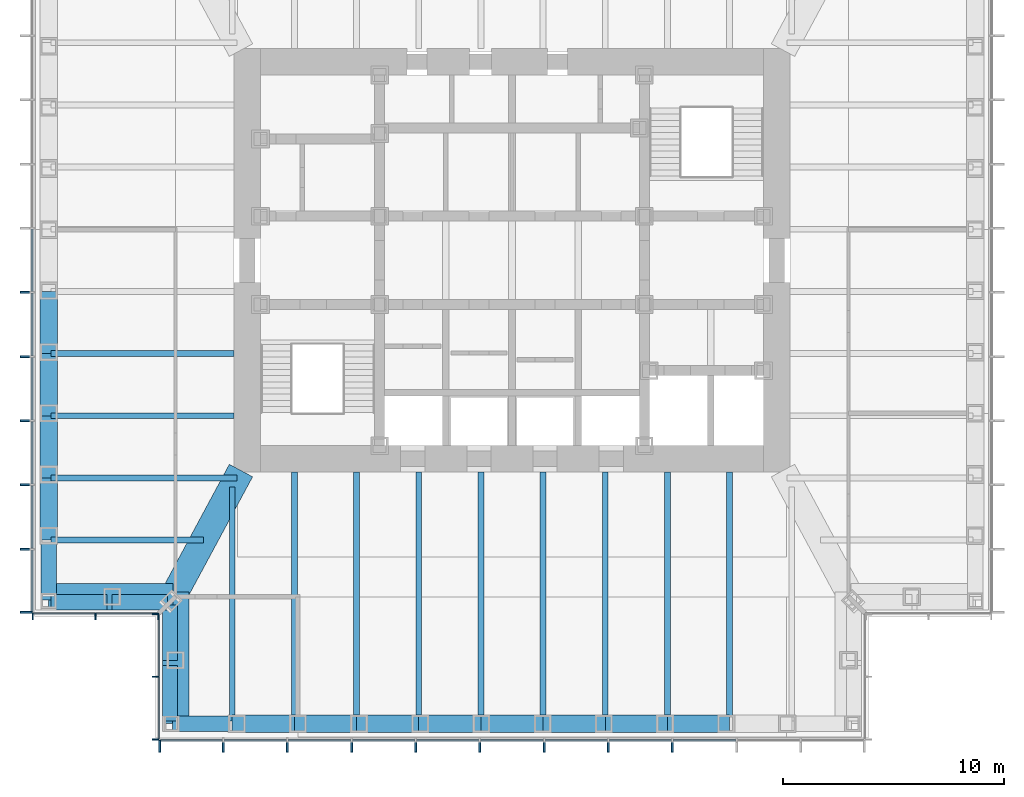
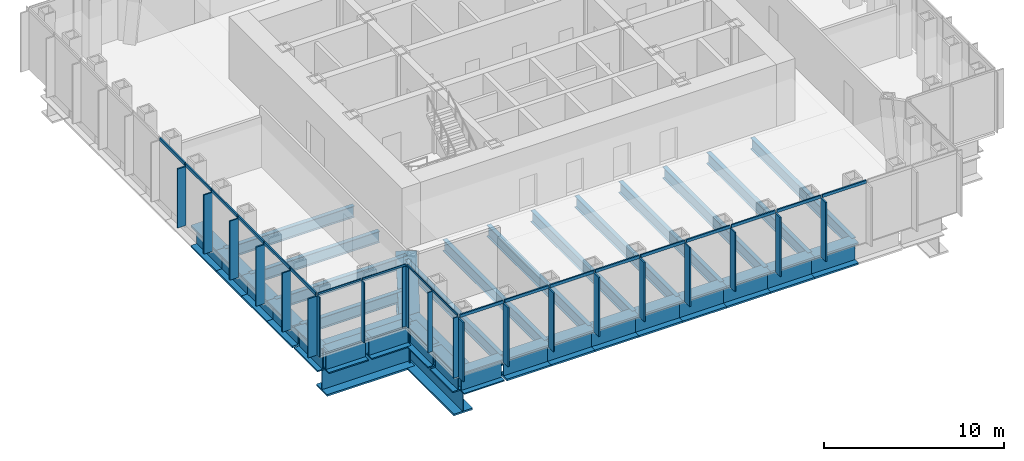
# One storey, part 2 of 14: 40 members, 34 beams, 4 elements without a shape of their own.
"""IFC4 building model written with IfcOpenShell, lengths in metres."""

import ifcopenshell
import ifcopenshell.guid

model = None  # the IFC model being written
_history = None  # IfcOwnerHistory: only IFC2X3 demands one
_inside = {}  # id of a spatial element -> (the spatial element, [elements in it])
_under = {}  # id of a project, library or spatial element -> (it, [spatial elements below it])
_declared = {}  # id of a project -> (the project, [libraries it declares])
_typed = {}  # id of a type object -> (the type object, [elements of that type])
_made_of = {}  # id of a material, layer set ... -> (it, [elements and type objects made of it])


def new_model(schema):
    """Start an empty IFC model of exactly this schema.

    Asked for "IFC4X3", IfcOpenShell would pick the latest addendum, in which some entities
    have other attributes; the version numbers below select the first issue.
    IFC2X3 requires an IfcOwnerHistory on every rooted entity: one is made here for all.
    """
    global model, _history
    if schema == "IFC4X3":
        model = ifcopenshell.file(schema_version=(4, 3, 0, 0))
    else:
        model = ifcopenshell.file(schema=schema)
    _inside.clear()
    _under.clear()
    _declared.clear()
    _typed.clear()
    _made_of.clear()
    _history = None
    if model.schema == "IFC2X3":
        org = make("IfcOrganization", Name="unknown")
        user = make(
            "IfcPersonAndOrganization",
            ThePerson=make("IfcPerson", FamilyName="unknown"),
            TheOrganization=org,
        )
        app = make(
            "IfcApplication",
            ApplicationDeveloper=org,
            Version="unknown",
            ApplicationFullName="unknown",
            ApplicationIdentifier="unknown",
        )
        _history = make(
            "IfcOwnerHistory",
            OwningUser=user,
            OwningApplication=app,
            ChangeAction="ADDED",
            CreationDate=0,
        )
    return model


def make(cls, **values):
    """One entity of the class cls with the attributes given. An attribute that is None is left unset."""
    return model.create_entity(
        cls, **{name: value for name, value in values.items() if value is not None}
    )


def rooted(cls, **values):
    """An entity with a GlobalId (a new one), such as an element, a storey or a relation."""
    return make(cls, GlobalId=ifcopenshell.guid.new(), OwnerHistory=_history, **values)


def si_unit(unit_type, name, prefix=None):
    """IfcSIUnit, for example si_unit("LENGTHUNIT", "METRE", prefix="MILLI")."""
    return make("IfcSIUnit", UnitType=unit_type, Prefix=prefix, Name=name)


def assignment(units):
    """IfcUnitAssignment: the units of a project."""
    return None if units is None else make("IfcUnitAssignment", Units=units)


def point(xyz):
    """IfcCartesianPoint."""
    return None if xyz is None else make("IfcCartesianPoint", Coordinates=xyz)


def direction(xyz):
    """IfcDirection."""
    return None if xyz is None else make("IfcDirection", DirectionRatios=xyz)


def frame(location, z_axis=None, x_axis=None):
    """IfcAxis2Placement3D, a coordinate frame: its origin and axes. An axis left out is left unset."""
    return make(
        "IfcAxis2Placement3D",
        Location=point(location),
        Axis=direction(z_axis),
        RefDirection=direction(x_axis),
    )


def frame_2d(location, x_axis=None):
    """IfcAxis2Placement2D, a coordinate frame in the plane: its origin and x axis."""
    return make(
        "IfcAxis2Placement2D", Location=point(location), RefDirection=direction(x_axis)
    )


def origin():
    """The frame at (0, 0, 0) with its axes left unset."""
    return frame((0.0, 0.0, 0.0))


def origin_2d():
    """The frame at (0, 0) in the plane with its x axis left unset."""
    return frame_2d((0.0, 0.0))


def place(relative_to, where):
    """IfcLocalPlacement: puts the frame where relative to a parent placement (None: the world)."""
    return make(
        "IfcLocalPlacement", PlacementRelTo=relative_to, RelativePlacement=where
    )


def context(
    kind, dimensions, precision=None, world=None, true_north=None, identifier=None
):
    """IfcGeometricRepresentationContext, for example the 3D "Model" context."""
    return make(
        "IfcGeometricRepresentationContext",
        ContextIdentifier=identifier,
        ContextType=kind,
        CoordinateSpaceDimension=dimensions,
        Precision=precision,
        WorldCoordinateSystem=world,
        TrueNorth=true_north,
    )


def subcontext(parent, identifier, kind, view, scale=None):
    """IfcGeometricRepresentationSubContext, for example "Body" below "Model"."""
    return make(
        "IfcGeometricRepresentationSubContext",
        ContextIdentifier=identifier,
        ContextType=kind,
        ParentContext=parent,
        TargetScale=scale,
        TargetView=view,
    )


def project(units=None, contexts=None):
    """IfcProject with its units and contexts."""
    return rooted(
        "IfcProject",
        Name="project",
        RepresentationContexts=contexts,
        UnitsInContext=assignment(units),
    )


def spatial(cls, under=None, at=None, **own):
    """A site, building, storey or space (cls), placed at a placement, below another one or the project."""
    s = rooted(cls, ObjectPlacement=at, **own)
    if under is not None:
        _under.setdefault(under.id(), (under, []))[1].append(s)
    return s


def profile(cls, at=None, kind="AREA", **sizes):
    """A parametric profile (cls). Its sizes go by their IFC names, for example OverallWidth=200.0."""
    return make(cls, ProfileType=kind, Position=at, **sizes)


def rectangle(**sizes):
    """IfcRectangleProfileDef."""
    return profile("IfcRectangleProfileDef", **sizes)


def i_section(**sizes):
    """IfcIShapeProfileDef."""
    return profile("IfcIShapeProfileDef", **sizes)


def extrude(swept, where, along, depth):
    """IfcExtrudedAreaSolid: the profile swept, set in the frame where, extruded along a direction by depth."""
    return make(
        "IfcExtrudedAreaSolid",
        SweptArea=swept,
        Position=where,
        ExtrudedDirection=direction(along),
        Depth=depth,
    )


def shape(context_of_items, identifier, shape_type, items):
    """IfcShapeRepresentation: the items that make up one representation, for example the "Body"."""
    return make(
        "IfcShapeRepresentation",
        ContextOfItems=context_of_items,
        RepresentationIdentifier=identifier,
        RepresentationType=shape_type,
        Items=items,
    )


def material(Name=None, Category=None):
    """IfcMaterial."""
    return make("IfcMaterial", Name=Name, Category=Category)


def material_profile(
    of_material, cross_section, Name=None, Category=None, Priority=None
):
    """IfcMaterialProfile: a cross section and its material."""
    return make(
        "IfcMaterialProfile",
        Name=Name,
        Material=of_material,
        Profile=cross_section,
        Priority=Priority,
        Category=Category,
    )


def profile_set(profiles, Name=None, composite=None):
    """IfcMaterialProfileSet."""
    return make(
        "IfcMaterialProfileSet",
        Name=Name,
        MaterialProfiles=profiles,
        CompositeProfile=composite,
    )


def made_of(thing, what):
    """Note that an element or type object is made of a material, layer set ...; save() writes the relation."""
    if what is not None:
        _made_of.setdefault(what.id(), (what, []))[1].append(thing)
    return thing


def type_object(cls, material=None, **own):
    """A type object (cls), such as IfcWallType, which elements share."""
    return made_of(rooted(cls, **own), material)


def element(
    cls,
    number,
    at=None,
    inside=None,
    cuts=None,
    type_object=None,
    material=None,
    context=None,
    identifier="Body",
    shape_type=None,
    held_by="IfcProductDefinitionShape",
    body=None,
    shapes=None,
    **own,
):
    """One element of the class cls, such as IfcWall. Its Tag is "e" and its number.

    at: its placement. inside: the storey or other place that contains it. cuts: it is an
    opening in that element (IfcRelVoidsElement). A single representation is given by context,
    identifier, shape_type and body (its items); several are given by shapes. held_by: the class
    of the entity that holds the representations. save() writes the other relations.
    """
    e = rooted(cls, Tag="e%d" % number, ObjectPlacement=at, **own)
    if body is not None:
        shapes = [shape(context, identifier, shape_type, body)]
    if shapes is not None:
        e.Representation = make(held_by, Representations=shapes)
    if inside is not None:
        _inside.setdefault(inside.id(), (inside, []))[1].append(e)
    if cuts is not None:
        rooted(
            "IfcRelVoidsElement", RelatingBuildingElement=cuts, RelatedOpeningElement=e
        )
    if type_object is not None:
        _typed.setdefault(type_object.id(), (type_object, []))[1].append(e)
    return made_of(e, material)


def aggregate(whole, parts):
    """IfcRelAggregates: a whole, such as a stair, and the parts it consists of."""
    return rooted("IfcRelAggregates", RelatingObject=whole, RelatedObjects=parts)


def save(model, path):
    """Write the relations noted so far, then the file.

    IfcRelAggregates (storeys below a building ...), IfcRelContainedInSpatialStructure (elements
    in a storey), IfcRelDefinesByType, IfcRelAssociatesMaterial and IfcRelDeclares: one each for
    every whole, place, type object, material and project.
    """
    for whole, parts in _under.values():
        aggregate(whole, parts)
    for where, things in _inside.values():
        rooted(
            "IfcRelContainedInSpatialStructure",
            RelatedElements=things,
            RelatingStructure=where,
        )
    for kind, things in _typed.values():
        rooted("IfcRelDefinesByType", RelatedObjects=things, RelatingType=kind)
    for what, things in _made_of.values():
        rooted("IfcRelAssociatesMaterial", RelatedObjects=things, RelatingMaterial=what)
    for by, libraries in _declared.values():
        rooted("IfcRelDeclares", RelatingContext=by, RelatedDefinitions=libraries)
    model.write(path)


model = new_model("IFC4")

# Units and contexts
model_context = context("Model", 3, precision=1e-05, world=origin(), true_north=direction((0.0, 1.0)))
body_context = subcontext(model_context, "Body", "Model", "MODEL_VIEW")
ifc_project = project(units=[si_unit("LENGTHUNIT", "METRE"), si_unit("AREAUNIT", "SQUARE_METRE"), si_unit("VOLUMEUNIT", "CUBIC_METRE"), si_unit("PLANEANGLEUNIT", "RADIAN"), si_unit("MASSUNIT", "GRAM", prefix="KILO")], contexts=[model_context])

# Site, building, storey
site_placement = place(None, origin())
site = spatial("IfcSite", under=ifc_project, at=site_placement, CompositionType="ELEMENT")
building_placement = place(site_placement, origin())
building = spatial("IfcBuilding", under=site, at=building_placement, Name="Daluyong Arena Tower", CompositionType="ELEMENT")
storey_placement = place(building_placement, frame((0.0, 0.0, 250.300048828125)))
storey = spatial("IfcBuildingStorey", under=building, at=storey_placement, Name="L56", CompositionType="ELEMENT", Elevation=250.300048828125)

# Curtain wall, members
ifc_material_1 = material(Name="Bronze anodised aluminium and glass", Category="aluminium")
curtain_wall_type_1 = type_object("IfcCurtainWallType", Name="Curtain wall CW4", PredefinedType="USERDEFINED", material=ifc_material_1)
curtain_wall_1_placement = place(storey_placement, origin())
curtain_wall_1 = element("IfcCurtainWall", 1, at=curtain_wall_1_placement, inside=storey, type_object=curtain_wall_type_1, Name="curtain wall L56 S", ObjectType="UNITISED CURTAIN WALL", PredefinedType="USERDEFINED")
ifc_material_2 = material(Name="Bronze anodised aluminium fin", Category="aluminium")
ifc_material_profile_1 = material_profile(ifc_material_2, rectangle(XDim=0.550048828125, YDim=0.090087890625, at=origin_2d()))
ifc_profile_set_1 = profile_set([ifc_material_profile_1], Name="Bronze anodised aluminium fin")
member_type_1 = type_object("IfcMemberType", Name="CW4 bronze fin 550x90", PredefinedType="MULLION", material=ifc_profile_set_1)
member_1_placement = place(storey_placement, frame((40.044921875, 57.97509765625, 0.0), z_axis=(0.0, 0.0, 1.0), x_axis=(0.0, 1.0, 0.0)))
member_1 = element("IfcMember", 2, at=member_1_placement, type_object=member_type_1, Name="curtain wall L56 S fin 1", PredefinedType="MULLION", context=body_context, shape_type="SweptSolid", body=[
    extrude(rectangle(XDim=0.550048828125, YDim=0.090087890625, at=origin_2d()), origin(), (0.0, 0.0, 1.0), 4.0),
])
member_2_placement = place(storey_placement, frame((42.9091796875, 57.97509765625, 0.0), z_axis=(0.0, 0.0, 1.0), x_axis=(0.0, 1.0, 0.0)))
member_2 = element("IfcMember", 3, at=member_2_placement, type_object=member_type_1, Name="curtain wall L56 S fin 2", PredefinedType="MULLION", context=body_context, shape_type="SweptSolid", body=[
    extrude(rectangle(XDim=0.550048828125, YDim=0.090087890625, at=origin_2d()), origin(), (0.0, 0.0, 1.0), 4.0),
])
member_3_placement = place(storey_placement, frame((45.818115234375, 57.97509765625, 0.0), z_axis=(0.0, 0.0, 1.0), x_axis=(0.0, 1.0, 0.0)))
member_3 = element("IfcMember", 4, at=member_3_placement, type_object=member_type_1, Name="curtain wall L56 S fin 3", PredefinedType="MULLION", context=body_context, shape_type="SweptSolid", body=[
    extrude(rectangle(XDim=0.550048828125, YDim=0.090087890625, at=origin_2d()), origin(), (0.0, 0.0, 1.0), 4.0),
])
member_4_placement = place(storey_placement, frame((48.727294921875, 57.97509765625, 0.0), z_axis=(0.0, 0.0, 1.0), x_axis=(0.0, 1.0, 0.0)))
member_4 = element("IfcMember", 5, at=member_4_placement, type_object=member_type_1, Name="curtain wall L56 S fin 4", PredefinedType="MULLION", context=body_context, shape_type="SweptSolid", body=[
    extrude(rectangle(XDim=0.550048828125, YDim=0.090087890625, at=origin_2d()), origin(), (0.0, 0.0, 1.0), 4.0),
])
member_5_placement = place(storey_placement, frame((51.636474609375, 57.97509765625, 0.0), z_axis=(0.0, 0.0, 1.0), x_axis=(0.0, 1.0, 0.0)))
member_5 = element("IfcMember", 6, at=member_5_placement, type_object=member_type_1, Name="curtain wall L56 S fin 5", PredefinedType="MULLION", context=body_context, shape_type="SweptSolid", body=[
    extrude(rectangle(XDim=0.550048828125, YDim=0.090087890625, at=origin_2d()), origin(), (0.0, 0.0, 1.0), 4.0),
])
member_6_placement = place(storey_placement, frame((54.54541015625, 57.97509765625, 0.0), z_axis=(0.0, 0.0, 1.0), x_axis=(0.0, 1.0, 0.0)))
member_6 = element("IfcMember", 7, at=member_6_placement, type_object=member_type_1, Name="curtain wall L56 S fin 6", PredefinedType="MULLION", context=body_context, shape_type="SweptSolid", body=[
    extrude(rectangle(XDim=0.550048828125, YDim=0.090087890625, at=origin_2d()), origin(), (0.0, 0.0, 1.0), 4.0),
])
member_7_placement = place(storey_placement, frame((57.45458984375, 57.97509765625, 0.0), z_axis=(0.0, 0.0, 1.0), x_axis=(0.0, 1.0, 0.0)))
member_7 = element("IfcMember", 8, at=member_7_placement, type_object=member_type_1, Name="curtain wall L56 S fin 7", PredefinedType="MULLION", context=body_context, shape_type="SweptSolid", body=[
    extrude(rectangle(XDim=0.550048828125, YDim=0.090087890625, at=origin_2d()), origin(), (0.0, 0.0, 1.0), 4.0),
])
member_8_placement = place(storey_placement, frame((60.363525390625, 57.97509765625, 0.0), z_axis=(0.0, 0.0, 1.0), x_axis=(0.0, 1.0, 0.0)))
member_8 = element("IfcMember", 9, at=member_8_placement, type_object=member_type_1, Name="curtain wall L56 S fin 8", PredefinedType="MULLION", context=body_context, shape_type="SweptSolid", body=[
    extrude(rectangle(XDim=0.550048828125, YDim=0.090087890625, at=origin_2d()), origin(), (0.0, 0.0, 1.0), 4.0),
])
member_9_placement = place(storey_placement, frame((63.272705078125, 57.97509765625, 0.0), z_axis=(0.0, 0.0, 1.0), x_axis=(0.0, 1.0, 0.0)))
member_9 = element("IfcMember", 10, at=member_9_placement, type_object=member_type_1, Name="curtain wall L56 S fin 9", PredefinedType="MULLION", context=body_context, shape_type="SweptSolid", body=[
    extrude(rectangle(XDim=0.550048828125, YDim=0.090087890625, at=origin_2d()), origin(), (0.0, 0.0, 1.0), 4.0),
])

curtain_wall_2_placement = place(storey_placement, origin())
curtain_wall_2 = element("IfcCurtainWall", 11, at=curtain_wall_2_placement, inside=storey, type_object=curtain_wall_type_1, Name="curtain wall L56 W", ObjectType="UNITISED CURTAIN WALL", PredefinedType="USERDEFINED")
member_10_placement = place(storey_placement, frame((33.97509765625, 78.54541015625, 0.0), z_axis=(0.0, 0.0, 1.0), x_axis=(1.0, 0.0, 0.0)))
member_10 = element("IfcMember", 12, at=member_10_placement, type_object=member_type_1, Name="curtain wall L56 W fin 7", PredefinedType="MULLION", context=body_context, shape_type="SweptSolid", body=[
    extrude(rectangle(XDim=0.550048828125, YDim=0.090087890625, at=origin_2d()), origin(), (0.0, 0.0, 1.0), 4.0),
])
member_11_placement = place(storey_placement, frame((33.97509765625, 75.636474609375, 0.0), z_axis=(0.0, 0.0, 1.0), x_axis=(1.0, 0.0, 0.0)))
member_11 = element("IfcMember", 13, at=member_11_placement, type_object=member_type_1, Name="curtain wall L56 W fin 8", PredefinedType="MULLION", context=body_context, shape_type="SweptSolid", body=[
    extrude(rectangle(XDim=0.550048828125, YDim=0.090087890625, at=origin_2d()), origin(), (0.0, 0.0, 1.0), 4.0),
])
member_12_placement = place(storey_placement, frame((33.97509765625, 72.727294921875, 0.0), z_axis=(0.0, 0.0, 1.0), x_axis=(1.0, 0.0, 0.0)))
member_12 = element("IfcMember", 14, at=member_12_placement, type_object=member_type_1, Name="curtain wall L56 W fin 9", PredefinedType="MULLION", context=body_context, shape_type="SweptSolid", body=[
    extrude(rectangle(XDim=0.550048828125, YDim=0.090087890625, at=origin_2d()), origin(), (0.0, 0.0, 1.0), 4.0),
])
member_13_placement = place(storey_placement, frame((33.97509765625, 69.818115234375, 0.0), z_axis=(0.0, 0.0, 1.0), x_axis=(1.0, 0.0, 0.0)))
member_13 = element("IfcMember", 15, at=member_13_placement, type_object=member_type_1, Name="curtain wall L56 W fin 10", PredefinedType="MULLION", context=body_context, shape_type="SweptSolid", body=[
    extrude(rectangle(XDim=0.550048828125, YDim=0.090087890625, at=origin_2d()), origin(), (0.0, 0.0, 1.0), 4.0),
])
member_14_placement = place(storey_placement, frame((33.97509765625, 66.9091796875, 0.0), z_axis=(0.0, 0.0, 1.0), x_axis=(1.0, 0.0, 0.0)))
member_14 = element("IfcMember", 16, at=member_14_placement, type_object=member_type_1, Name="curtain wall L56 W fin 11", PredefinedType="MULLION", context=body_context, shape_type="SweptSolid", body=[
    extrude(rectangle(XDim=0.550048828125, YDim=0.090087890625, at=origin_2d()), origin(), (0.0, 0.0, 1.0), 4.0),
])
member_15_placement = place(storey_placement, frame((33.97509765625, 64.044921875, 0.0), z_axis=(0.0, 0.0, 1.0), x_axis=(1.0, 0.0, 0.0)))
member_15 = element("IfcMember", 17, at=member_15_placement, type_object=member_type_1, Name="curtain wall L56 W fin 12", PredefinedType="MULLION", context=body_context, shape_type="SweptSolid", body=[
    extrude(rectangle(XDim=0.550048828125, YDim=0.090087890625, at=origin_2d()), origin(), (0.0, 0.0, 1.0), 4.0),
])

# Member
ifc_material_3 = material(Name="Bronze anodised aluminium", Category="aluminium")
ifc_material_profile_2 = material_profile(ifc_material_3, rectangle(XDim=0.090087890625, YDim=0.199951171875, at=origin_2d()))
ifc_profile_set_2 = profile_set([ifc_material_profile_2], Name="Bronze anodised aluminium")
member_type_2 = type_object("IfcMemberType", Name="CW4 stack transom 200x90", PredefinedType="USERDEFINED", material=ifc_profile_set_2)
member_16_placement = place(storey_placement, frame((40.090087890625, 58.25, 4.099853515625), z_axis=(1.0, 0.0, 0.0), x_axis=(0.0, 1.0, 0.0)))
member_16 = element("IfcMember", 18, at=member_16_placement, type_object=member_type_2, Name="curtain wall L56 S transom 1", ObjectType="TRANSOM", PredefinedType="USERDEFINED", context=body_context, shape_type="SweptSolid", body=[
    extrude(rectangle(XDim=0.090087890625, YDim=0.199951171875, at=origin_2d()), origin(), (0.0, 0.0, 1.0), 2.77392578125),
])

member_17_placement = place(storey_placement, frame((42.9541015625, 58.25, 4.099853515625), z_axis=(1.0, 0.0, 0.0), x_axis=(0.0, 1.0, 0.0)))
member_17 = element("IfcMember", 19, at=member_17_placement, type_object=member_type_2, Name="curtain wall L56 S transom 2", ObjectType="TRANSOM", PredefinedType="USERDEFINED", context=body_context, shape_type="SweptSolid", body=[
    extrude(rectangle(XDim=0.090087890625, YDim=0.199951171875, at=origin_2d()), origin(), (0.0, 0.0, 1.0), 2.819091796875),
])

member_18_placement = place(storey_placement, frame((45.86328125, 58.25, 4.099853515625), z_axis=(1.0, 0.0, 0.0), x_axis=(0.0, 1.0, 0.0)))
member_18 = element("IfcMember", 20, at=member_18_placement, type_object=member_type_2, Name="curtain wall L56 S transom 3", ObjectType="TRANSOM", PredefinedType="USERDEFINED", context=body_context, shape_type="SweptSolid", body=[
    extrude(rectangle(XDim=0.090087890625, YDim=0.199951171875, at=origin_2d()), origin(), (0.0, 0.0, 1.0), 2.819091796875),
])

member_19_placement = place(storey_placement, frame((48.772216796875, 58.25, 4.099853515625), z_axis=(1.0, 0.0, 0.0), x_axis=(0.0, 1.0, 0.0)))
member_19 = element("IfcMember", 21, at=member_19_placement, type_object=member_type_2, Name="curtain wall L56 S transom 4", ObjectType="TRANSOM", PredefinedType="USERDEFINED", context=body_context, shape_type="SweptSolid", body=[
    extrude(rectangle(XDim=0.090087890625, YDim=0.199951171875, at=origin_2d()), origin(), (0.0, 0.0, 1.0), 2.819091796875),
])

member_20_placement = place(storey_placement, frame((51.681396484375, 58.25, 4.099853515625), z_axis=(1.0, 0.0, 0.0), x_axis=(0.0, 1.0, 0.0)))
member_20 = element("IfcMember", 22, at=member_20_placement, type_object=member_type_2, Name="curtain wall L56 S transom 5", ObjectType="TRANSOM", PredefinedType="USERDEFINED", context=body_context, shape_type="SweptSolid", body=[
    extrude(rectangle(XDim=0.090087890625, YDim=0.199951171875, at=origin_2d()), origin(), (0.0, 0.0, 1.0), 2.819091796875),
])

member_21_placement = place(storey_placement, frame((54.590576171875, 58.25, 4.099853515625), z_axis=(1.0, 0.0, 0.0), x_axis=(0.0, 1.0, 0.0)))
member_21 = element("IfcMember", 23, at=member_21_placement, type_object=member_type_2, Name="curtain wall L56 S transom 6", ObjectType="TRANSOM", PredefinedType="USERDEFINED", context=body_context, shape_type="SweptSolid", body=[
    extrude(rectangle(XDim=0.090087890625, YDim=0.199951171875, at=origin_2d()), origin(), (0.0, 0.0, 1.0), 2.81884765625),
])

member_22_placement = place(storey_placement, frame((57.49951171875, 58.25, 4.099853515625), z_axis=(1.0, 0.0, 0.0), x_axis=(0.0, 1.0, 0.0)))
member_22 = element("IfcMember", 24, at=member_22_placement, type_object=member_type_2, Name="curtain wall L56 S transom 7", ObjectType="TRANSOM", PredefinedType="USERDEFINED", context=body_context, shape_type="SweptSolid", body=[
    extrude(rectangle(XDim=0.090087890625, YDim=0.199951171875, at=origin_2d()), origin(), (0.0, 0.0, 1.0), 2.819091796875),
])

member_23_placement = place(storey_placement, frame((60.40869140625, 58.25, 4.099853515625), z_axis=(1.0, 0.0, 0.0), x_axis=(0.0, 1.0, 0.0)))
member_23 = element("IfcMember", 25, at=member_23_placement, type_object=member_type_2, Name="curtain wall L56 S transom 8", ObjectType="TRANSOM", PredefinedType="USERDEFINED", context=body_context, shape_type="SweptSolid", body=[
    extrude(rectangle(XDim=0.090087890625, YDim=0.199951171875, at=origin_2d()), origin(), (0.0, 0.0, 1.0), 2.819091796875),
])

member_24_placement = place(storey_placement, frame((63.317626953125, 58.25, 4.099853515625), z_axis=(1.0, 0.0, 0.0), x_axis=(0.0, 1.0, 0.0)))
member_24 = element("IfcMember", 26, at=member_24_placement, type_object=member_type_2, Name="curtain wall L56 S transom 9", ObjectType="TRANSOM", PredefinedType="USERDEFINED", context=body_context, shape_type="SweptSolid", body=[
    extrude(rectangle(XDim=0.090087890625, YDim=0.199951171875, at=origin_2d()), origin(), (0.0, 0.0, 1.0), 2.819091796875),
])

aggregate(curtain_wall_1, [member_1, member_2, member_3, member_4, member_5, member_6, member_7, member_8, member_9, member_16, member_17, member_18, member_19, member_20, member_21, member_22, member_23, member_24])

member_25_placement = place(storey_placement, frame((34.25, 81.409423828125, 4.099853515625), z_axis=(0.0, -1.0, 0.0), x_axis=(1.0, 0.0, 0.0)))
member_25 = element("IfcMember", 27, at=member_25_placement, type_object=member_type_2, Name="curtain wall L56 W transom 6", ObjectType="TRANSOM", PredefinedType="USERDEFINED", context=body_context, shape_type="SweptSolid", body=[
    extrude(rectangle(XDim=0.090087890625, YDim=0.199951171875, at=origin_2d()), origin(), (0.0, 0.0, 1.0), 2.81884765625),
])

member_26_placement = place(storey_placement, frame((34.25, 78.50048828125, 4.099853515625), z_axis=(0.0, -1.0, 0.0), x_axis=(1.0, 0.0, 0.0)))
member_26 = element("IfcMember", 28, at=member_26_placement, type_object=member_type_2, Name="curtain wall L56 W transom 7", ObjectType="TRANSOM", PredefinedType="USERDEFINED", context=body_context, shape_type="SweptSolid", body=[
    extrude(rectangle(XDim=0.090087890625, YDim=0.199951171875, at=origin_2d()), origin(), (0.0, 0.0, 1.0), 2.819091796875),
])

member_27_placement = place(storey_placement, frame((34.25, 75.59130859375, 4.099853515625), z_axis=(0.0, -1.0, 0.0), x_axis=(1.0, 0.0, 0.0)))
member_27 = element("IfcMember", 29, at=member_27_placement, type_object=member_type_2, Name="curtain wall L56 W transom 8", ObjectType="TRANSOM", PredefinedType="USERDEFINED", context=body_context, shape_type="SweptSolid", body=[
    extrude(rectangle(XDim=0.090087890625, YDim=0.199951171875, at=origin_2d()), origin(), (0.0, 0.0, 1.0), 2.819091796875),
])

member_28_placement = place(storey_placement, frame((34.25, 72.682373046875, 4.099853515625), z_axis=(0.0, -1.0, 0.0), x_axis=(1.0, 0.0, 0.0)))
member_28 = element("IfcMember", 30, at=member_28_placement, type_object=member_type_2, Name="curtain wall L56 W transom 9", ObjectType="TRANSOM", PredefinedType="USERDEFINED", context=body_context, shape_type="SweptSolid", body=[
    extrude(rectangle(XDim=0.090087890625, YDim=0.199951171875, at=origin_2d()), origin(), (0.0, 0.0, 1.0), 2.819091796875),
])

member_29_placement = place(storey_placement, frame((34.25, 69.773193359375, 4.099853515625), z_axis=(0.0, -1.0, 0.0), x_axis=(1.0, 0.0, 0.0)))
member_29 = element("IfcMember", 31, at=member_29_placement, type_object=member_type_2, Name="curtain wall L56 W transom 10", ObjectType="TRANSOM", PredefinedType="USERDEFINED", context=body_context, shape_type="SweptSolid", body=[
    extrude(rectangle(XDim=0.090087890625, YDim=0.199951171875, at=origin_2d()), origin(), (0.0, 0.0, 1.0), 2.819091796875),
])

member_30_placement = place(storey_placement, frame((34.25, 66.864013671875, 4.099853515625), z_axis=(0.0, -1.0, 0.0), x_axis=(1.0, 0.0, 0.0)))
member_30 = element("IfcMember", 32, at=member_30_placement, type_object=member_type_2, Name="curtain wall L56 W transom 11", ObjectType="TRANSOM", PredefinedType="USERDEFINED", context=body_context, shape_type="SweptSolid", body=[
    extrude(rectangle(XDim=0.090087890625, YDim=0.199951171875, at=origin_2d()), origin(), (0.0, 0.0, 1.0), 2.77392578125),
])

aggregate(curtain_wall_2, [member_10, member_11, member_12, member_13, member_14, member_15, member_25, member_26, member_27, member_28, member_29, member_30])

# Curtain wall, members
ifc_material_4 = material(Name="Bronze anodised aluminium and glass", Category="aluminium")
curtain_wall_type_2 = type_object("IfcCurtainWallType", Name="Curtain wall CW7", PredefinedType="USERDEFINED", material=ifc_material_4)
curtain_wall_3_placement = place(storey_placement, origin())
curtain_wall_3 = element("IfcCurtainWall", 33, at=curtain_wall_3_placement, inside=storey, type_object=curtain_wall_type_2, Name="curtain wall L56 SW-S", ObjectType="UNITISED CURTAIN WALL", PredefinedType="USERDEFINED")
ifc_material_5 = material(Name="Bronze anodised aluminium fin", Category="aluminium")
ifc_material_profile_3 = material_profile(ifc_material_5, rectangle(XDim=0.300048828125, YDim=0.06005859375, at=origin_2d()))
ifc_profile_set_3 = profile_set([ifc_material_profile_3], Name="Bronze anodised aluminium fin")
member_type_3 = type_object("IfcMemberType", Name="CW7 bronze fin 300x60", PredefinedType="MULLION", material=ifc_profile_set_3)
member_31_placement = place(storey_placement, frame((34.280029296875, 63.85009765625, 0.0), z_axis=(0.0, 0.0, 1.0), x_axis=(0.0, 1.0, 0.0)))
member_31 = element("IfcMember", 34, at=member_31_placement, type_object=member_type_3, Name="curtain wall L56 SW-S fin 1", PredefinedType="MULLION", context=body_context, shape_type="SweptSolid", body=[
    extrude(rectangle(XDim=0.300048828125, YDim=0.06005859375, at=origin_2d()), origin(), (0.0, 0.0, 1.0), 4.079833984375),
])
member_32_placement = place(storey_placement, frame((37.125, 63.85009765625, 0.0), z_axis=(0.0, 0.0, 1.0), x_axis=(0.0, 1.0, 0.0)))
member_32 = element("IfcMember", 35, at=member_32_placement, type_object=member_type_3, Name="curtain wall L56 SW-S fin 2", PredefinedType="MULLION", context=body_context, shape_type="SweptSolid", body=[
    extrude(rectangle(XDim=0.300048828125, YDim=0.06005859375, at=origin_2d()), origin(), (0.0, 0.0, 1.0), 4.079833984375),
])
member_33_placement = place(storey_placement, frame((39.969970703125, 63.85009765625, 0.0), z_axis=(0.0, 0.0, 1.0), x_axis=(0.0, 1.0, 0.0)))
member_33 = element("IfcMember", 36, at=member_33_placement, type_object=member_type_3, Name="curtain wall L56 SW-S fin 3", PredefinedType="MULLION", context=body_context, shape_type="SweptSolid", body=[
    extrude(rectangle(XDim=0.300048828125, YDim=0.06005859375, at=origin_2d()), origin(), (0.0, 0.0, 1.0), 4.079833984375),
])

curtain_wall_4_placement = place(storey_placement, origin())
curtain_wall_4 = element("IfcCurtainWall", 37, at=curtain_wall_4_placement, inside=storey, type_object=curtain_wall_type_2, Name="curtain wall L56 SW-W", ObjectType="UNITISED CURTAIN WALL", PredefinedType="USERDEFINED")
member_34_placement = place(storey_placement, frame((39.85009765625, 63.969970703125, 0.0), z_axis=(0.0, 0.0, 1.0), x_axis=(1.0, 0.0, 0.0)))
member_34 = element("IfcMember", 38, at=member_34_placement, type_object=member_type_3, Name="curtain wall L56 SW-W fin 1", PredefinedType="MULLION", context=body_context, shape_type="SweptSolid", body=[
    extrude(rectangle(XDim=0.300048828125, YDim=0.06005859375, at=origin_2d()), origin(), (0.0, 0.0, 1.0), 4.079833984375),
])
member_35_placement = place(storey_placement, frame((39.85009765625, 61.125, 0.0), z_axis=(0.0, 0.0, 1.0), x_axis=(1.0, 0.0, 0.0)))
member_35 = element("IfcMember", 39, at=member_35_placement, type_object=member_type_3, Name="curtain wall L56 SW-W fin 2", PredefinedType="MULLION", context=body_context, shape_type="SweptSolid", body=[
    extrude(rectangle(XDim=0.300048828125, YDim=0.06005859375, at=origin_2d()), origin(), (0.0, 0.0, 1.0), 4.079833984375),
])
member_36_placement = place(storey_placement, frame((39.85009765625, 58.280029296875, 0.0), z_axis=(0.0, 0.0, 1.0), x_axis=(1.0, 0.0, 0.0)))
member_36 = element("IfcMember", 40, at=member_36_placement, type_object=member_type_3, Name="curtain wall L56 SW-W fin 3", PredefinedType="MULLION", context=body_context, shape_type="SweptSolid", body=[
    extrude(rectangle(XDim=0.300048828125, YDim=0.06005859375, at=origin_2d()), origin(), (0.0, 0.0, 1.0), 4.079833984375),
])

# Member
ifc_material_6 = material(Name="Bronze anodised aluminium", Category="aluminium")
ifc_material_profile_4 = material_profile(ifc_material_6, rectangle(XDim=0.06005859375, YDim=0.1201171875, at=origin_2d()))
ifc_profile_set_4 = profile_set([ifc_material_profile_4], Name="Bronze anodised aluminium")
member_type_4 = type_object("IfcMemberType", Name="CW7 stack transom 120x60", PredefinedType="USERDEFINED", material=ifc_profile_set_4)
member_37_placement = place(storey_placement, frame((34.31005859375, 64.0, 4.139892578125), z_axis=(1.0, 0.0, 0.0), x_axis=(0.0, 1.0, 0.0)))
member_37 = element("IfcMember", 41, at=member_37_placement, type_object=member_type_4, Name="curtain wall L56 SW-S transom 1", ObjectType="TRANSOM", PredefinedType="USERDEFINED", context=body_context, shape_type="SweptSolid", body=[
    extrude(rectangle(XDim=0.06005859375, YDim=0.1201171875, at=origin_2d()), origin(), (0.0, 0.0, 1.0), 2.784912109375),
])

member_38_placement = place(storey_placement, frame((37.155029296875, 64.0, 4.139892578125), z_axis=(1.0, 0.0, 0.0), x_axis=(0.0, 1.0, 0.0)))
member_38 = element("IfcMember", 42, at=member_38_placement, type_object=member_type_4, Name="curtain wall L56 SW-S transom 2", ObjectType="TRANSOM", PredefinedType="USERDEFINED", context=body_context, shape_type="SweptSolid", body=[
    extrude(rectangle(XDim=0.06005859375, YDim=0.1201171875, at=origin_2d()), origin(), (0.0, 0.0, 1.0), 2.784912109375),
])

aggregate(curtain_wall_3, [member_31, member_32, member_33, member_37, member_38])

member_39_placement = place(storey_placement, frame((40.0, 63.93994140625, 4.139892578125), z_axis=(0.0, -1.0, 0.0), x_axis=(1.0, 0.0, 0.0)))
member_39 = element("IfcMember", 43, at=member_39_placement, type_object=member_type_4, Name="curtain wall L56 SW-W transom 1", ObjectType="TRANSOM", PredefinedType="USERDEFINED", context=body_context, shape_type="SweptSolid", body=[
    extrude(rectangle(XDim=0.06005859375, YDim=0.1201171875, at=origin_2d()), origin(), (0.0, 0.0, 1.0), 2.784912109375),
])

member_40_placement = place(storey_placement, frame((40.0, 61.094970703125, 4.139892578125), z_axis=(0.0, -1.0, 0.0), x_axis=(1.0, 0.0, 0.0)))
member_40 = element("IfcMember", 44, at=member_40_placement, type_object=member_type_4, Name="curtain wall L56 SW-W transom 2", ObjectType="TRANSOM", PredefinedType="USERDEFINED", context=body_context, shape_type="SweptSolid", body=[
    extrude(rectangle(XDim=0.06005859375, YDim=0.1201171875, at=origin_2d()), origin(), (0.0, 0.0, 1.0), 2.784912109375),
])

aggregate(curtain_wall_4, [member_34, member_35, member_36, member_39, member_40])

# Beams
ifc_material_7 = material(Name="Steel ASTM A992 Grade 50", Category="steel")
ifc_material_profile_5 = material_profile(ifc_material_7, i_section(OverallWidth=0.2666015625, OverallDepth=0.761962890625, WebThickness=0.014404296875, FlangeThickness=0.021484375, at=origin_2d()))
ifc_profile_set_5 = profile_set([ifc_material_profile_5], Name="Steel ASTM A992 Grade 50")
beam_type_1 = type_object("IfcBeamType", Name="Floor beam W30X116", PredefinedType="BEAM", material=ifc_profile_set_5)
beam_1_placement = place(storey_placement, frame((43.318115234375, 59.114990234375, -0.541015625), z_axis=(0.0, 1.0, 0.0), x_axis=(-1.0, 0.0, 0.0)))
element("IfcBeam", 45, at=beam_1_placement, inside=storey, type_object=beam_type_1, Name="floor beam FB4", PredefinedType="BEAM", context=body_context, shape_type="SweptSolid", body=[
    extrude(i_section(OverallWidth=0.2666015625, OverallDepth=0.761962890625, WebThickness=0.014404296875, FlangeThickness=0.021484375, at=origin_2d()), origin(), (0.0, 0.0, 1.0), 10.618896484375),
])
for number, where, z_axis, x_axis, name in (
    (46, (46.136474609375, 59.114990234375, -0.541015625), (0.0, 1.0, 0.0), (-1.0, 0.0, 0.0), "floor beam FB4"),
    (47, (48.95458984375, 59.114990234375, -0.541015625), (0.0, 1.0, 0.0), (-1.0, 0.0, 0.0), "floor beam FB4"),
    (48, (51.772705078125, 59.114990234375, -0.541015625), (0.0, 1.0, 0.0), (-1.0, 0.0, 0.0), "floor beam FB4"),
    (49, (54.5908203125, 59.114990234375, -0.541015625), (0.0, 1.0, 0.0), (-1.0, 0.0, 0.0), "floor beam FB4"),
    (50, (57.4091796875, 59.114990234375, -0.541015625), (0.0, 1.0, 0.0), (-1.0, 0.0, 0.0), "floor beam FB4"),
    (51, (60.227294921875, 59.114990234375, -0.541015625), (0.0, 1.0, 0.0), (-1.0, 0.0, 0.0), "floor beam FB4"),
    (52, (63.04541015625, 59.114990234375, -0.541015625), (0.0, 1.0, 0.0), (-1.0, 0.0, 0.0), "floor beam FB4"),
    (53, (65.863525390625, 59.114990234375, -0.541015625), (0.0, 1.0, 0.0), (-1.0, 0.0, 0.0), "floor beam FB4"),
):
    element("IfcBeam", number, at=place(storey_placement, frame(where, z_axis=z_axis, x_axis=x_axis)), inside=storey, type_object=beam_type_1, Name=name, PredefinedType="BEAM", context=body_context, shape_type="SweptSolid", body=[
        extrude(i_section(OverallWidth=0.2666015625, OverallDepth=0.761962890625, WebThickness=0.014404296875, FlangeThickness=0.021484375, at=origin_2d()), origin(), (0.0, 0.0, 1.0), 11.284912109375),
    ])
for number, where, z_axis, x_axis, name in (
    (54, (35.114990234375, 75.772705078125, -0.541015625), (1.0, 0.0, 0.0), (0.0, 1.0, 0.0), "floor beam FB4"),
    (55, (35.114990234375, 72.95458984375, -0.541015625), (1.0, 0.0, 0.0), (0.0, 1.0, 0.0), "floor beam FB4"),
):
    element("IfcBeam", number, at=place(storey_placement, frame(where, z_axis=z_axis, x_axis=x_axis)), inside=storey, type_object=beam_type_1, Name=name, PredefinedType="BEAM", context=body_context, shape_type="SweptSolid", body=[
        extrude(i_section(OverallWidth=0.2666015625, OverallDepth=0.761962890625, WebThickness=0.014404296875, FlangeThickness=0.021484375, at=origin_2d()), origin(), (0.0, 0.0, 1.0), 8.284912109375),
    ])
beam_2_placement = place(storey_placement, frame((35.114990234375, 70.136474609375, -0.541015625), z_axis=(1.0, 0.0, 0.0), x_axis=(0.0, 1.0, 0.0)))
element("IfcBeam", 56, at=beam_2_placement, inside=storey, type_object=beam_type_1, Name="floor beam FB4", PredefinedType="BEAM", context=body_context, shape_type="SweptSolid", body=[
    extrude(i_section(OverallWidth=0.2666015625, OverallDepth=0.761962890625, WebThickness=0.014404296875, FlangeThickness=0.021484375, at=origin_2d()), origin(), (0.0, 0.0, 1.0), 8.419921875),
])
beam_3_placement = place(storey_placement, frame((35.114990234375, 67.318115234375, -0.541015625), z_axis=(1.0, 0.0, 0.0), x_axis=(0.0, 1.0, 0.0)))
element("IfcBeam", 57, at=beam_3_placement, inside=storey, type_object=beam_type_1, Name="floor beam FB4", PredefinedType="BEAM", context=body_context, shape_type="SweptSolid", body=[
    extrude(i_section(OverallWidth=0.2666015625, OverallDepth=0.761962890625, WebThickness=0.014404296875, FlangeThickness=0.021484375, at=origin_2d()), origin(), (0.0, 0.0, 1.0), 6.902587890625),
])
ifc_material_8 = material(Name="Steel ASTM A572 Grade 50", Category="steel")
ifc_material_profile_6 = material_profile(ifc_material_8, i_section(OverallWidth=0.699951171875, OverallDepth=1.5, WebThickness=0.04, FlangeThickness=0.08, at=origin_2d()))
ifc_profile_set_6 = profile_set([ifc_material_profile_6], Name="Steel ASTM A572 Grade 50")
beam_type_2 = type_object("IfcBeamType", Name="Spandrel Z3 PG1500X700", PredefinedType="SPANDREL", material=ifc_profile_set_6)
for number, where, z_axis, x_axis, name in (
    (58, (40.614990234375, 59.0, -0.91015625), (1.0, 0.0, 0.0), (0.0, 1.0, 0.0), "spandrel z3 SB8"),
    (59, (35.0, 67.203125, -0.91015625), (0.0, -1.0, 0.0), (1.0, 0.0, 0.0), "spandrel z3 SB8"),
):
    element("IfcBeam", number, at=place(storey_placement, frame(where, z_axis=z_axis, x_axis=x_axis)), inside=storey, type_object=beam_type_2, Name=name, PredefinedType="SPANDREL", context=body_context, shape_type="SweptSolid", body=[
        extrude(i_section(OverallWidth=0.699951171875, OverallDepth=1.5, WebThickness=0.04, FlangeThickness=0.08, at=origin_2d()), origin(), (0.0, 0.0, 1.0), 2.588134765625),
    ])
for number, where, z_axis, x_axis, name in (
    (60, (35.114990234375, 64.5, -0.91015625), (1.0, 0.0, 0.0), (0.0, 1.0, 0.0), "spandrel z3 SB8"),
    (61, (37.864990234375, 64.5, -0.91015625), (1.0, 0.0, 0.0), (0.0, 1.0, 0.0), "spandrel z3 SB8"),
    (62, (40.5, 64.385009765625, -0.91015625), (0.0, -1.0, 0.0), (1.0, 0.0, 0.0), "spandrel z3 SB8"),
    (63, (40.5, 61.635009765625, -0.91015625), (0.0, -1.0, 0.0), (1.0, 0.0, 0.0), "spandrel z3 SB8"),
):
    element("IfcBeam", number, at=place(storey_placement, frame(where, z_axis=z_axis, x_axis=x_axis)), inside=storey, type_object=beam_type_2, Name=name, PredefinedType="SPANDREL", context=body_context, shape_type="SweptSolid", body=[
        extrude(i_section(OverallWidth=0.699951171875, OverallDepth=1.5, WebThickness=0.04, FlangeThickness=0.08, at=origin_2d()), origin(), (0.0, 0.0, 1.0), 2.52001953125),
    ])
ifc_material_9 = material(Name="Steel ASTM A588 Grade 50", Category="steel")
ifc_material_profile_7 = material_profile(ifc_material_9, i_section(OverallWidth=1.199951171875, OverallDepth=3.0, WebThickness=0.06, FlangeThickness=0.12, at=origin_2d()))
ifc_profile_set_7 = profile_set([ifc_material_profile_7], Name="Steel ASTM A588 Grade 50")
beam_type_3 = type_object("IfcBeamType", Name="Transfer beam PG3000X1200", PredefinedType="BEAM", material=ifc_profile_set_7)
beam_4_placement = place(storey_placement, frame((40.5, 64.5, -1.66015625), z_axis=(0.474106262714, 0.880467632372, 0.0), x_axis=(-0.880467632372, 0.474106262714, 0.0)))
element("IfcBeam", 64, at=beam_4_placement, inside=storey, type_object=beam_type_3, Name="transfer beam TR5", PredefinedType="BEAM", context=body_context, shape_type="SweptSolid", body=[
    extrude(i_section(OverallWidth=1.199951171875, OverallDepth=3.0, WebThickness=0.06, FlangeThickness=0.12, at=origin_2d()), origin(), (0.0, 0.0, 1.0), 6.782470703125),
])
beam_5_placement = place(storey_placement, frame((35.0, 64.75, -1.66015625), z_axis=(1.0, 0.0, 0.0), x_axis=(0.0, 1.0, 0.0)))
element("IfcBeam", 65, at=beam_5_placement, inside=storey, type_object=beam_type_3, Name="transfer beam TR5", PredefinedType="BEAM", context=body_context, shape_type="SweptSolid", body=[
    extrude(i_section(OverallWidth=1.199951171875, OverallDepth=3.0, WebThickness=0.06, FlangeThickness=0.12, at=origin_2d()), origin(), (0.0, 0.0, 1.0), 5.634521484375),
])
beam_6_placement = place(storey_placement, frame((40.75, 59.0, -1.66015625), z_axis=(0.0, 1.0, 0.0), x_axis=(-1.0, 0.0, 0.0)))
element("IfcBeam", 66, at=beam_6_placement, inside=storey, type_object=beam_type_3, Name="transfer beam TR5", PredefinedType="BEAM", context=body_context, shape_type="SweptSolid", body=[
    extrude(i_section(OverallWidth=1.199951171875, OverallDepth=3.0, WebThickness=0.06, FlangeThickness=0.12, at=origin_2d()), origin(), (0.0, 0.0, 1.0), 5.96435546875),
])
ifc_material_10 = material(Name="Steel ASTM A588 Grade 50", Category="steel")
ifc_material_profile_8 = material_profile(ifc_material_10, i_section(OverallWidth=0.800048828125, OverallDepth=1.5, WebThickness=0.05, FlangeThickness=0.12, at=origin_2d()))
ifc_profile_set_8 = profile_set([ifc_material_profile_8], Name="Steel ASTM A588 Grade 50")
beam_type_4 = type_object("IfcBeamType", Name="Transfer spandrel PG1500X800", PredefinedType="SPANDREL", material=ifc_profile_set_8)
beam_7_placement = place(storey_placement, frame((43.318115234375, 59.0, -0.91015625), z_axis=(1.0, 0.0, 0.0), x_axis=(0.0, 1.0, 0.0)))
element("IfcBeam", 67, at=beam_7_placement, inside=storey, type_object=beam_type_4, Name="transfer spandrel TS1", PredefinedType="SPANDREL", context=body_context, shape_type="SweptSolid", body=[
    extrude(i_section(OverallWidth=0.800048828125, OverallDepth=1.5, WebThickness=0.05, FlangeThickness=0.12, at=origin_2d()), origin(), (0.0, 0.0, 1.0), 2.818359375),
])
for number, where, z_axis, x_axis, name in (
    (68, (46.136474609375, 59.0, -0.91015625), (1.0, 0.0, 0.0), (0.0, 1.0, 0.0), "transfer spandrel TS1"),
    (69, (48.95458984375, 59.0, -0.91015625), (1.0, 0.0, 0.0), (0.0, 1.0, 0.0), "transfer spandrel TS1"),
    (70, (51.772705078125, 59.0, -0.91015625), (1.0, 0.0, 0.0), (0.0, 1.0, 0.0), "transfer spandrel TS1"),
):
    element("IfcBeam", number, at=place(storey_placement, frame(where, z_axis=z_axis, x_axis=x_axis)), inside=storey, type_object=beam_type_4, Name=name, PredefinedType="SPANDREL", context=body_context, shape_type="SweptSolid", body=[
        extrude(i_section(OverallWidth=0.800048828125, OverallDepth=1.5, WebThickness=0.05, FlangeThickness=0.12, at=origin_2d()), origin(), (0.0, 0.0, 1.0), 2.818115234375),
    ])
beam_8_placement = place(storey_placement, frame((54.5908203125, 59.0, -0.91015625), z_axis=(1.0, 0.0, 0.0), x_axis=(0.0, 1.0, 0.0)))
element("IfcBeam", 71, at=beam_8_placement, inside=storey, type_object=beam_type_4, Name="transfer spandrel TS1", PredefinedType="SPANDREL", context=body_context, shape_type="SweptSolid", body=[
    extrude(i_section(OverallWidth=0.800048828125, OverallDepth=1.5, WebThickness=0.05, FlangeThickness=0.12, at=origin_2d()), origin(), (0.0, 0.0, 1.0), 2.818359375),
])
for number, where, z_axis, x_axis, name in (
    (72, (57.4091796875, 59.0, -0.91015625), (1.0, 0.0, 0.0), (0.0, 1.0, 0.0), "transfer spandrel TS1"),
    (73, (60.227294921875, 59.0, -0.91015625), (1.0, 0.0, 0.0), (0.0, 1.0, 0.0), "transfer spandrel TS1"),
    (74, (63.04541015625, 59.0, -0.91015625), (1.0, 0.0, 0.0), (0.0, 1.0, 0.0), "transfer spandrel TS1"),
    (75, (35.0, 78.5908203125, -0.91015625), (0.0, -1.0, 0.0), (1.0, 0.0, 0.0), "transfer spandrel TS1"),
    (76, (35.0, 75.772705078125, -0.91015625), (0.0, -1.0, 0.0), (1.0, 0.0, 0.0), "transfer spandrel TS1"),
    (77, (35.0, 72.95458984375, -0.91015625), (0.0, -1.0, 0.0), (1.0, 0.0, 0.0), "transfer spandrel TS1"),
):
    element("IfcBeam", number, at=place(storey_placement, frame(where, z_axis=z_axis, x_axis=x_axis)), inside=storey, type_object=beam_type_4, Name=name, PredefinedType="SPANDREL", context=body_context, shape_type="SweptSolid", body=[
        extrude(i_section(OverallWidth=0.800048828125, OverallDepth=1.5, WebThickness=0.05, FlangeThickness=0.12, at=origin_2d()), origin(), (0.0, 0.0, 1.0), 2.818115234375),
    ])
beam_9_placement = place(storey_placement, frame((35.0, 70.136474609375, -0.91015625), z_axis=(0.0, -1.0, 0.0), x_axis=(1.0, 0.0, 0.0)))
element("IfcBeam", 78, at=beam_9_placement, inside=storey, type_object=beam_type_4, Name="transfer spandrel TS1", PredefinedType="SPANDREL", context=body_context, shape_type="SweptSolid", body=[
    extrude(i_section(OverallWidth=0.800048828125, OverallDepth=1.5, WebThickness=0.05, FlangeThickness=0.12, at=origin_2d()), origin(), (0.0, 0.0, 1.0), 2.818359375),
])

save(model, "model.ifc")
